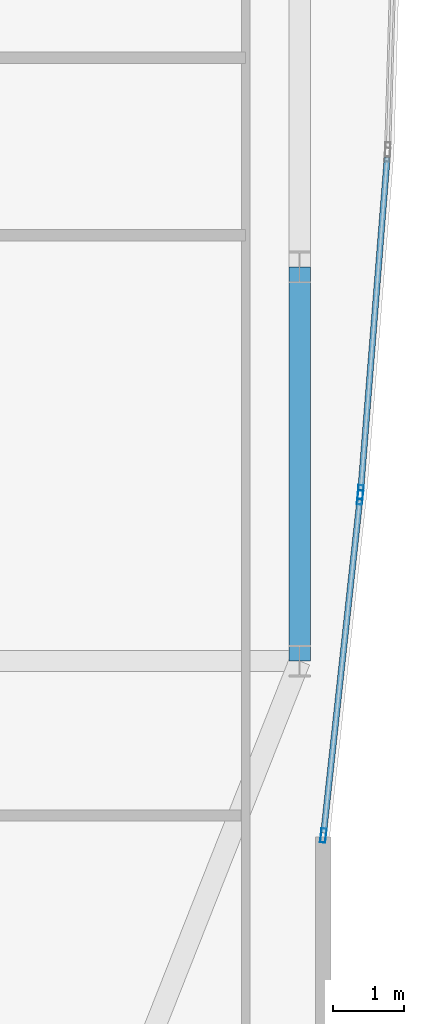
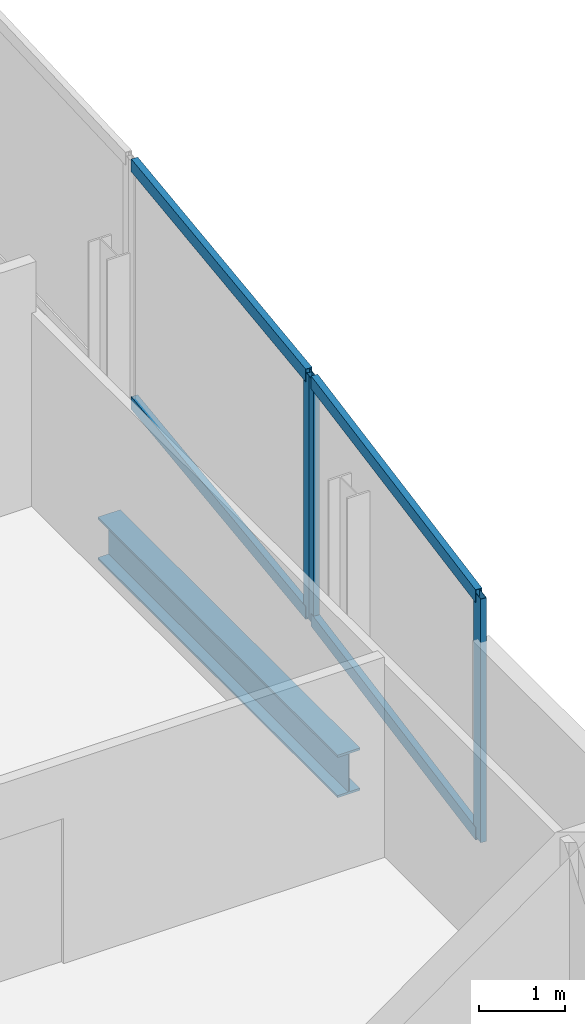
# One storey, part 18 of 32: 7 members, 1 beam, 2 elements without a shape of their own.
"""IFC4 building model written with IfcOpenShell, lengths in metres."""

from ifc_helpers import new_model, si_unit, direction, frame, origin, origin_2d, place, context, subcontext, project, spatial, hollow_rectangle, i_section, extrude, material, material_profile, profile_set, type_object, element, aggregate, save


model = new_model("IFC4")

# Units and contexts
model_context = context("Model", 3, precision=1e-05, world=origin(), true_north=direction((0.0, 1.0)))
body_context = subcontext(model_context, "Body", "Model", "MODEL_VIEW")
ifc_project = project(units=[si_unit("LENGTHUNIT", "METRE"), si_unit("AREAUNIT", "SQUARE_METRE"), si_unit("VOLUMEUNIT", "CUBIC_METRE"), si_unit("PLANEANGLEUNIT", "RADIAN"), si_unit("MASSUNIT", "GRAM", prefix="KILO")], contexts=[model_context])

# Site, building, storey
site_placement = place(None, origin())
site = spatial("IfcSite", under=ifc_project, at=site_placement, CompositionType="ELEMENT")
building_placement = place(site_placement, origin())
building = spatial("IfcBuilding", under=site, at=building_placement, Name="Khoronbel Lancet Exchange", CompositionType="ELEMENT")
storey_placement = place(building_placement, frame((0.0, 0.0, 192.199951171875)))
storey = spatial("IfcBuildingStorey", under=building, at=storey_placement, Name="L48", CompositionType="ELEMENT", Elevation=192.199951171875)

# Beam
ifc_material_1 = material(Name="Steel S355", Category="steel")
ifc_material_profile_1 = material_profile(ifc_material_1, i_section(OverallWidth=0.300048828125, OverallDepth=0.60009765625, WebThickness=0.015380859375, FlangeThickness=0.030029296875, at=origin_2d()), Name="HEB 600")
ifc_profile_set_1 = profile_set([ifc_material_profile_1], Name="Steel S355")
beam_type = type_object("IfcBeamType", Name="BM-BSP2", PredefinedType="SPANDREL", material=ifc_profile_set_1)
beam_placement = place(storey_placement, frame((65.6298828125, 19.199951171875, -0.4599609375), z_axis=(0.0, 1.0, 0.0), x_axis=(-1.0, 0.0, 0.0)))
element("IfcBeam", 1, at=beam_placement, inside=storey, type_object=beam_type, Name="Level L48 perimeter spandrel beam SP11", PredefinedType="SPANDREL", context=body_context, shape_type="SweptSolid", body=[
    extrude(i_section(OverallWidth=0.300048828125, OverallDepth=0.60009765625, WebThickness=0.015380859375, FlangeThickness=0.030029296875, at=origin_2d()), origin(), (0.0, 0.0, 1.0), 5.550048828125),
])

# Curtain wall, member
ifc_material_2 = material(Name="Low-E Solar Control Insulating Glass", Category="glass")
curtain_wall_type = type_object("IfcCurtainWallType", Name="CW-4", PredefinedType="NOTDEFINED", material=ifc_material_2)
curtain_wall_1_placement = place(storey_placement, origin())
curtain_wall_1 = element("IfcCurtainWall", 2, at=curtain_wall_1_placement, inside=storey, type_object=curtain_wall_type, Name="Unitised curtain wall CW-L48-E21", PredefinedType="NOTDEFINED")
ifc_material_3 = material(Name="Bronze-Anodised Aluminium 6063-T6", Category="aluminium")
ifc_material_profile_2 = material_profile(ifc_material_3, hollow_rectangle(XDim=0.074951171875, YDim=0.199951171875, WallThickness=0.0048828125, at=origin_2d()), Name="ALU MULLION 75x200")
ifc_profile_set_2 = profile_set([ifc_material_profile_2], Name="Bronze-Anodised Aluminium 6063-T6")
member_type_1 = type_object("IfcMemberType", Name="MEM-CWM2", PredefinedType="MULLION", material=ifc_profile_set_2)
member_1_placement = place(storey_placement, frame((66.48828125, 21.5791015625, 0.0), z_axis=(0.0, 0.0, 1.0), x_axis=(0.996854401909, -0.079254661653, 0.0)))
member_1 = element("IfcMember", 3, at=member_1_placement, type_object=member_type_1, Name="CW4 mullion 2", PredefinedType="MULLION", context=body_context, shape_type="SweptSolid", body=[
    extrude(hollow_rectangle(XDim=0.074951171875, YDim=0.199951171875, WallThickness=0.0048828125, at=origin_2d()), origin(), (0.0, 0.0, 1.0), 3.43994140625),
])

# Curtain wall, members
curtain_wall_2_placement = place(storey_placement, origin())
curtain_wall_2 = element("IfcCurtainWall", 4, at=curtain_wall_2_placement, inside=storey, type_object=curtain_wall_type, Name="Unitised curtain wall CW-L48-E22", PredefinedType="NOTDEFINED")
member_2_placement = place(storey_placement, frame((66.4814453125, 21.50439453125, 0.0), z_axis=(0.0, 0.0, 1.0), x_axis=(0.994151948799, -0.107990289834, 0.0)))
member_2 = element("IfcMember", 5, at=member_2_placement, type_object=member_type_1, Name="CW4 mullion 1", PredefinedType="MULLION", context=body_context, shape_type="SweptSolid", body=[
    extrude(hollow_rectangle(XDim=0.074951171875, YDim=0.199951171875, WallThickness=0.0048828125, at=origin_2d()), origin(), (0.0, 0.0, 1.0), 3.43994140625),
])
member_3_placement = place(storey_placement, frame((65.964111328125, 16.7421875, 0.0), z_axis=(0.0, 0.0, 1.0), x_axis=(0.994151948799, -0.107990289834, 0.0)))
member_3 = element("IfcMember", 6, at=member_3_placement, type_object=member_type_1, Name="CW4 mullion 2", PredefinedType="MULLION", context=body_context, shape_type="SweptSolid", body=[
    extrude(hollow_rectangle(XDim=0.074951171875, YDim=0.199951171875, WallThickness=0.0048828125, at=origin_2d()), origin(), (0.0, 0.0, 1.0), 3.43994140625),
])

# Member
ifc_material_profile_3 = material_profile(ifc_material_3, hollow_rectangle(XDim=0.0849609375, YDim=0.179931640625, WallThickness=0.0048828125, at=origin_2d()), Name="ALU TRANSOM 85x180")
ifc_profile_set_3 = profile_set([ifc_material_profile_3], Name="Bronze-Anodised Aluminium 6063-T6")
member_type_2 = type_object("IfcMemberType", Name="MEM-CWT1", PredefinedType="USERDEFINED", material=ifc_profile_set_3)
member_4_placement = place(storey_placement, frame((66.863525390625, 26.296875, 0.04248046875), z_axis=(-0.079245071744, -0.996855164306, 0.0), x_axis=(0.996855164306, -0.079245071744, 0.0)))
member_4 = element("IfcMember", 7, at=member_4_placement, type_object=member_type_2, Name="CW4 transom 1.1", ObjectType="TRANSOM", PredefinedType="USERDEFINED", context=body_context, shape_type="SweptSolid", body=[
    extrude(hollow_rectangle(XDim=0.0849609375, YDim=0.179931640625, WallThickness=0.0048828125, at=origin_2d()), origin(), (0.0, 0.0, 1.0), 4.695068359375),
])

member_5_placement = place(storey_placement, frame((66.863525390625, 26.296875, 3.3974609375), z_axis=(-0.079245071744, -0.996855164306, 0.0), x_axis=(0.996855164306, -0.079245071744, 0.0)))
member_5 = element("IfcMember", 8, at=member_5_placement, type_object=member_type_2, Name="CW4 transom 1.2", ObjectType="TRANSOM", PredefinedType="USERDEFINED", context=body_context, shape_type="SweptSolid", body=[
    extrude(hollow_rectangle(XDim=0.0849609375, YDim=0.179931640625, WallThickness=0.0048828125, at=origin_2d()), origin(), (0.0, 0.0, 1.0), 4.695068359375),
])

aggregate(curtain_wall_1, [member_1, member_4, member_5])

member_6_placement = place(storey_placement, frame((66.477294921875, 21.467041015625, 0.04248046875), z_axis=(-0.108010231569, -0.994149782415, 0.0), x_axis=(0.994149782415, -0.108010231569, 0.0)))
member_6 = element("IfcMember", 9, at=member_6_placement, type_object=member_type_2, Name="CW4 transom 1.1", ObjectType="TRANSOM", PredefinedType="USERDEFINED", context=body_context, shape_type="SweptSolid", body=[
    extrude(hollow_rectangle(XDim=0.0849609375, YDim=0.179931640625, WallThickness=0.0048828125, at=origin_2d()), origin(), (0.0, 0.0, 1.0), 4.715087890625),
])

member_7_placement = place(storey_placement, frame((66.477294921875, 21.467041015625, 3.3974609375), z_axis=(-0.108010231569, -0.994149782415, 0.0), x_axis=(0.994149782415, -0.108010231569, 0.0)))
member_7 = element("IfcMember", 10, at=member_7_placement, type_object=member_type_2, Name="CW4 transom 1.2", ObjectType="TRANSOM", PredefinedType="USERDEFINED", context=body_context, shape_type="SweptSolid", body=[
    extrude(hollow_rectangle(XDim=0.0849609375, YDim=0.179931640625, WallThickness=0.0048828125, at=origin_2d()), origin(), (0.0, 0.0, 1.0), 4.715087890625),
])

aggregate(curtain_wall_2, [member_2, member_3, member_6, member_7])

save(model, "model.ifc")
